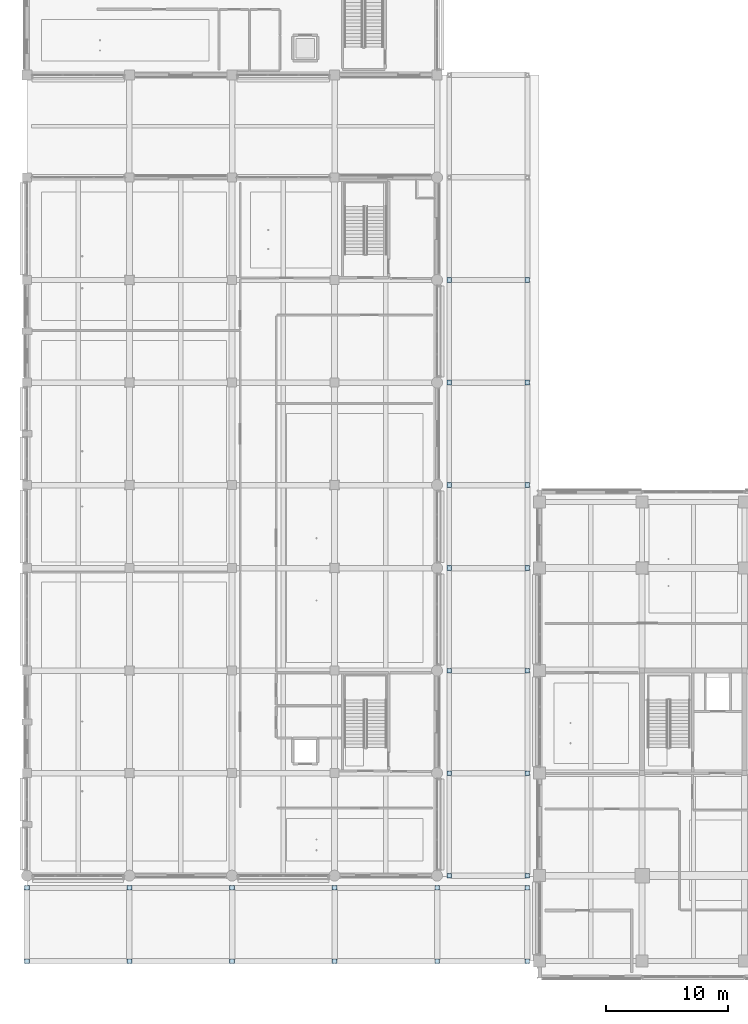
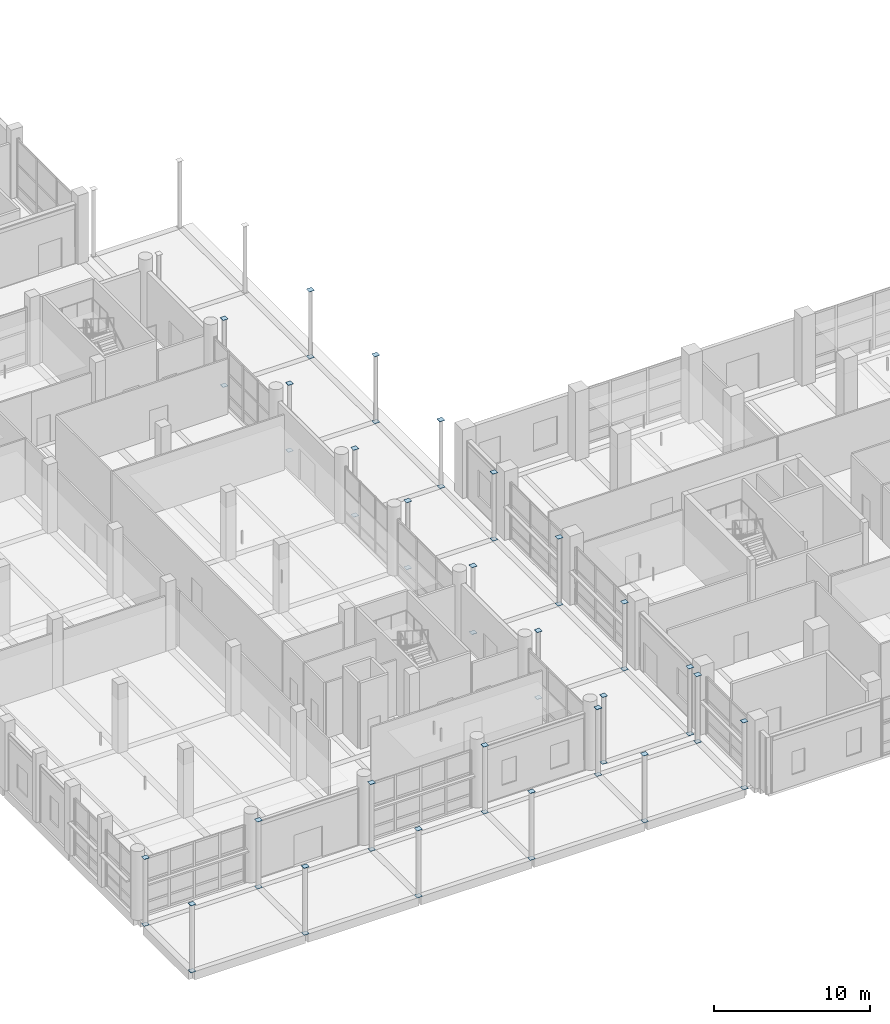
# One storey, part 53 of 140: 52 plates.
"""IFC4 building model written with IfcOpenShell, lengths in metres."""

from ifc_helpers import new_model, si_unit, direction, frame, origin, origin_2d, place, context, subcontext, project, spatial, rectangle, extrude, material, layer, layer_set, type_object, element, save


model = new_model("IFC4")

# Units and contexts
model_context = context("Model", 3, precision=1e-05, world=origin(), true_north=direction((0.0, 1.0)))
body_context = subcontext(model_context, "Body", "Model", "MODEL_VIEW")
ifc_project = project(units=[si_unit("LENGTHUNIT", "METRE"), si_unit("AREAUNIT", "SQUARE_METRE"), si_unit("VOLUMEUNIT", "CUBIC_METRE"), si_unit("PLANEANGLEUNIT", "RADIAN"), si_unit("MASSUNIT", "GRAM", prefix="KILO")], contexts=[model_context])

# Site, building, storey
site_placement = place(None, origin())
site = spatial("IfcSite", under=ifc_project, at=site_placement, CompositionType="ELEMENT")
building_placement = place(site_placement, origin())
building = spatial("IfcBuilding", under=site, at=building_placement, Name="Telukmera Botanical Conservatory", CompositionType="ELEMENT")
storey_placement = place(building_placement, origin())
storey = spatial("IfcBuildingStorey", under=building, at=storey_placement, Name="L00", CompositionType="ELEMENT", Elevation=0.0)

# Plates
ifc_material = material(Name="Steel S355", Category="steel")
ifc_layer = layer(ifc_material, 0.01611328125)
ifc_layer_set = layer_set([ifc_layer], Name="Steel S355")
plate_type = type_object("IfcPlateType", Name="Plate_CP1", PredefinedType="USERDEFINED", material=ifc_layer_set)
for number, where, z_axis, x_axis, name in (
    (1, (8.39990234375, 10.60009765625, -0.01611328125), (0.0, 0.0, 1.0), (1.0, 0.0, 0.0), "CP1 Column End Cap Plate V5-L00"),
    (2, (8.39990234375, 10.60009765625, 5.239990234375), (0.0, 0.0, 1.0), (1.0, 0.0, 0.0), "CP1 Column End Cap Plate V5-L00"),
    (3, (8.39990234375, 16.60009765625, -0.01611328125), (0.0, 0.0, 1.0), (1.0, 0.0, 0.0), "CP1 Column End Cap Plate V5-L00"),
    (4, (8.39990234375, 16.60009765625, 5.239990234375), (0.0, 0.0, 1.0), (1.0, 0.0, 0.0), "CP1 Column End Cap Plate V5-L00"),
    (5, (16.800048828125, 10.60009765625, -0.01611328125), (0.0, 0.0, 1.0), (1.0, 0.0, 0.0), "CP1 Column End Cap Plate V5-L00"),
    (6, (16.800048828125, 10.60009765625, 5.239990234375), (0.0, 0.0, 1.0), (1.0, 0.0, 0.0), "CP1 Column End Cap Plate V5-L00"),
    (7, (16.800048828125, 16.60009765625, -0.01611328125), (0.0, 0.0, 1.0), (1.0, 0.0, 0.0), "CP1 Column End Cap Plate V5-L00"),
    (8, (16.800048828125, 16.60009765625, 5.239990234375), (0.0, 0.0, 1.0), (1.0, 0.0, 0.0), "CP1 Column End Cap Plate V5-L00"),
    (9, (25.199951171875, 10.60009765625, -0.01611328125), (0.0, 0.0, 1.0), (1.0, 0.0, 0.0), "CP1 Column End Cap Plate V5-L00"),
    (10, (25.199951171875, 10.60009765625, 5.239990234375), (0.0, 0.0, 1.0), (1.0, 0.0, 0.0), "CP1 Column End Cap Plate V5-L00"),
    (11, (25.199951171875, 16.60009765625, -0.01611328125), (0.0, 0.0, 1.0), (1.0, 0.0, 0.0), "CP1 Column End Cap Plate V5-L00"),
    (12, (25.199951171875, 16.60009765625, 5.239990234375), (0.0, 0.0, 1.0), (1.0, 0.0, 0.0), "CP1 Column End Cap Plate V5-L00"),
    (13, (33.60009765625, 10.60009765625, -0.01611328125), (0.0, 0.0, 1.0), (1.0, 0.0, 0.0), "CP1 Column End Cap Plate V5-L00"),
    (14, (33.60009765625, 10.60009765625, 5.239990234375), (0.0, 0.0, 1.0), (1.0, 0.0, 0.0), "CP1 Column End Cap Plate V5-L00"),
    (15, (33.60009765625, 16.60009765625, -0.01611328125), (0.0, 0.0, 1.0), (1.0, 0.0, 0.0), "CP1 Column End Cap Plate V5-L00"),
    (16, (33.60009765625, 16.60009765625, 5.239990234375), (0.0, 0.0, 1.0), (1.0, 0.0, 0.0), "CP1 Column End Cap Plate V5-L00"),
    (17, (42.0, 10.60009765625, -0.01611328125), (0.0, 0.0, 1.0), (1.0, 0.0, 0.0), "CP1 Column End Cap Plate V5-L00"),
    (18, (42.0, 10.60009765625, 5.239990234375), (0.0, 0.0, 1.0), (1.0, 0.0, 0.0), "CP1 Column End Cap Plate V5-L00"),
    (19, (42.0, 16.60009765625, -0.01611328125), (0.0, 0.0, 1.0), (1.0, 0.0, 0.0), "CP1 Column End Cap Plate V5-L00"),
    (20, (42.0, 16.60009765625, 5.239990234375), (0.0, 0.0, 1.0), (1.0, 0.0, 0.0), "CP1 Column End Cap Plate V5-L00"),
    (21, (49.39990234375, 10.60009765625, -0.01611328125), (0.0, 0.0, 1.0), (1.0, 0.0, 0.0), "CP1 Column End Cap Plate V5-L00"),
    (22, (49.39990234375, 10.60009765625, 5.239990234375), (0.0, 0.0, 1.0), (1.0, 0.0, 0.0), "CP1 Column End Cap Plate V5-L00"),
    (23, (49.39990234375, 16.60009765625, -0.01611328125), (0.0, 0.0, 1.0), (1.0, 0.0, 0.0), "CP1 Column End Cap Plate V5-L00"),
    (24, (49.39990234375, 16.60009765625, 5.239990234375), (0.0, 0.0, 1.0), (1.0, 0.0, 0.0), "CP1 Column End Cap Plate V5-L00"),
    (25, (43.0, 17.60009765625, -0.01611328125), (0.0, 0.0, 1.0), (1.0, 0.0, 0.0), "CP1 Column End Cap Plate V5-L00"),
    (26, (43.0, 17.60009765625, 5.239990234375), (0.0, 0.0, 1.0), (1.0, 0.0, 0.0), "CP1 Column End Cap Plate V5-L00"),
    (27, (49.39990234375, 17.60009765625, -0.01611328125), (0.0, 0.0, 1.0), (1.0, 0.0, 0.0), "CP1 Column End Cap Plate V5-L00"),
    (28, (49.39990234375, 17.60009765625, 5.239990234375), (0.0, 0.0, 1.0), (1.0, 0.0, 0.0), "CP1 Column End Cap Plate V5-L00"),
    (29, (43.0, 26.0, -0.01611328125), (0.0, 0.0, 1.0), (1.0, 0.0, 0.0), "CP1 Column End Cap Plate V5-L00"),
    (30, (43.0, 26.0, 5.239990234375), (0.0, 0.0, 1.0), (1.0, 0.0, 0.0), "CP1 Column End Cap Plate V5-L00"),
    (31, (49.39990234375, 26.0, -0.01611328125), (0.0, 0.0, 1.0), (1.0, 0.0, 0.0), "CP1 Column End Cap Plate V5-L00"),
    (32, (49.39990234375, 26.0, 5.239990234375), (0.0, 0.0, 1.0), (1.0, 0.0, 0.0), "CP1 Column End Cap Plate V5-L00"),
    (33, (43.0, 34.39990234375, -0.01611328125), (0.0, 0.0, 1.0), (1.0, 0.0, 0.0), "CP1 Column End Cap Plate V5-L00"),
    (34, (43.0, 34.39990234375, 5.239990234375), (0.0, 0.0, 1.0), (1.0, 0.0, 0.0), "CP1 Column End Cap Plate V5-L00"),
    (35, (49.39990234375, 34.39990234375, -0.01611328125), (0.0, 0.0, 1.0), (1.0, 0.0, 0.0), "CP1 Column End Cap Plate V5-L00"),
    (36, (49.39990234375, 34.39990234375, 5.239990234375), (0.0, 0.0, 1.0), (1.0, 0.0, 0.0), "CP1 Column End Cap Plate V5-L00"),
    (37, (43.0, 42.800048828125, -0.01611328125), (0.0, 0.0, 1.0), (1.0, 0.0, 0.0), "CP1 Column End Cap Plate V5-L00"),
    (38, (43.0, 42.800048828125, 5.239990234375), (0.0, 0.0, 1.0), (1.0, 0.0, 0.0), "CP1 Column End Cap Plate V5-L00"),
    (39, (49.39990234375, 42.800048828125, -0.01611328125), (0.0, 0.0, 1.0), (1.0, 0.0, 0.0), "CP1 Column End Cap Plate V5-L00"),
    (40, (49.39990234375, 42.800048828125, 5.239990234375), (0.0, 0.0, 1.0), (1.0, 0.0, 0.0), "CP1 Column End Cap Plate V5-L00"),
    (41, (43.0, 49.60009765625, -0.01611328125), (0.0, 0.0, 1.0), (1.0, 0.0, 0.0), "CP1 Column End Cap Plate V5-L00"),
    (42, (43.0, 49.60009765625, 5.239990234375), (0.0, 0.0, 1.0), (1.0, 0.0, 0.0), "CP1 Column End Cap Plate V5-L00"),
    (43, (49.39990234375, 49.60009765625, -0.01611328125), (0.0, 0.0, 1.0), (1.0, 0.0, 0.0), "CP1 Column End Cap Plate V5-L00"),
    (44, (49.39990234375, 49.60009765625, 5.239990234375), (0.0, 0.0, 1.0), (1.0, 0.0, 0.0), "CP1 Column End Cap Plate V5-L00"),
    (45, (43.0, 58.0, -0.01611328125), (0.0, 0.0, 1.0), (1.0, 0.0, 0.0), "CP1 Column End Cap Plate V5-L00"),
    (46, (43.0, 58.0, 5.239990234375), (0.0, 0.0, 1.0), (1.0, 0.0, 0.0), "CP1 Column End Cap Plate V5-L00"),
    (47, (49.39990234375, 58.0, -0.01611328125), (0.0, 0.0, 1.0), (1.0, 0.0, 0.0), "CP1 Column End Cap Plate V5-L00"),
    (48, (49.39990234375, 58.0, 5.239990234375), (0.0, 0.0, 1.0), (1.0, 0.0, 0.0), "CP1 Column End Cap Plate V5-L00"),
    (49, (43.0, 66.39990234375, -0.01611328125), (0.0, 0.0, 1.0), (1.0, 0.0, 0.0), "CP1 Column End Cap Plate V5-L00"),
    (50, (43.0, 66.39990234375, 5.239990234375), (0.0, 0.0, 1.0), (1.0, 0.0, 0.0), "CP1 Column End Cap Plate V5-L00"),
    (51, (49.39990234375, 66.39990234375, -0.01611328125), (0.0, 0.0, 1.0), (1.0, 0.0, 0.0), "CP1 Column End Cap Plate V5-L00"),
    (52, (49.39990234375, 66.39990234375, 5.239990234375), (0.0, 0.0, 1.0), (1.0, 0.0, 0.0), "CP1 Column End Cap Plate V5-L00"),
):
    element("IfcPlate", number, at=place(storey_placement, frame(where, z_axis=z_axis, x_axis=x_axis)), inside=storey, type_object=plate_type, Name=name, ObjectType="CAP_PLATE", PredefinedType="USERDEFINED", context=body_context, shape_type="SweptSolid", body=[
        extrude(rectangle(XDim=0.3798828125, YDim=0.3798828125, at=origin_2d()), origin(), (0.0, 0.0, 1.0), 0.01611328125),
    ])

save(model, "model.ifc")
